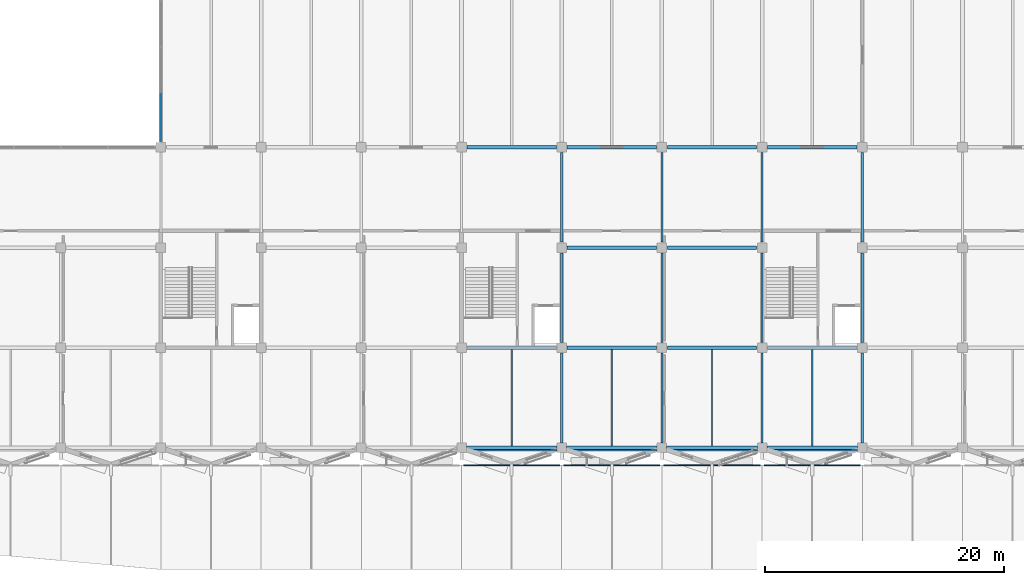
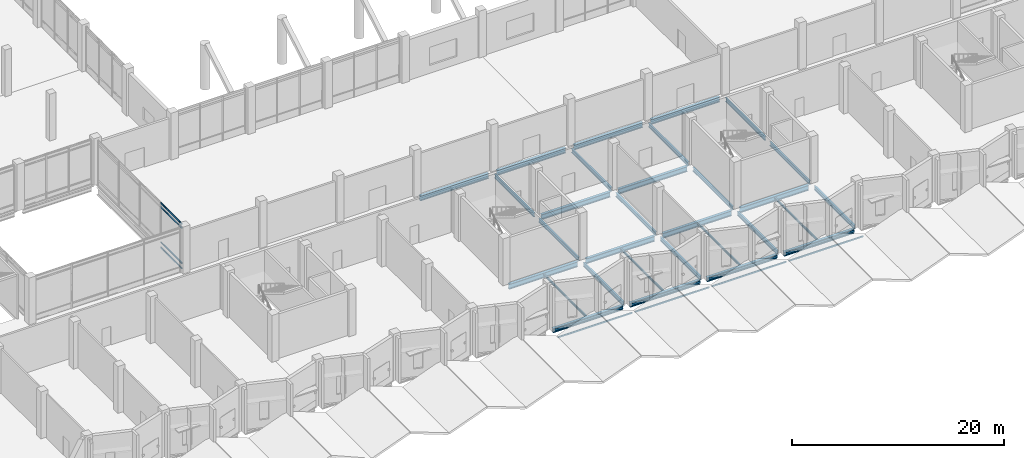
# One storey, part 8 of 72: 34 beams, 8 members, 1 element without a shape of its own.
"""IFC4 building model written with IfcOpenShell, lengths in metres."""

from ifc_helpers import new_model, si_unit, direction, frame, origin, origin_2d, place, context, subcontext, project, spatial, rectangle, hollow_rectangle, i_section, extrude, material, layer, layer_set, material_profile, profile_set, type_object, element, aggregate, save


model = new_model("IFC4")

# Units and contexts
model_context = context("Model", 3, precision=1e-05, world=origin(), true_north=direction((0.0, 1.0)))
body_context = subcontext(model_context, "Body", "Model", "MODEL_VIEW")
ifc_project = project(units=[si_unit("LENGTHUNIT", "METRE"), si_unit("AREAUNIT", "SQUARE_METRE"), si_unit("VOLUMEUNIT", "CUBIC_METRE"), si_unit("PLANEANGLEUNIT", "RADIAN"), si_unit("MASSUNIT", "GRAM", prefix="KILO")], contexts=[model_context])

# Site, building, storey
site_placement = place(None, origin())
site = spatial("IfcSite", under=ifc_project, at=site_placement, CompositionType="ELEMENT")
building_placement = place(site_placement, origin())
building = spatial("IfcBuilding", under=site, at=building_placement, Name="Qawsi Khor Wholesale Market", CompositionType="ELEMENT")
storey_placement = place(building_placement, frame((0.0, 0.0, 6.0)))
storey = spatial("IfcBuildingStorey", under=building, at=storey_placement, Name="L01", CompositionType="ELEMENT", Elevation=6.0)

# Beams
ifc_material_1 = material(Name="Steel S355", Category="steel")
ifc_material_profile_1 = material_profile(ifc_material_1, i_section(OverallWidth=0.135009765625, OverallDepth=0.27001953125, WebThickness=0.006591796875, FlangeThickness=0.01025390625, FilletRadius=0.014892578125, at=origin_2d()), Name="IPE 270")
ifc_profile_set_1 = profile_set([ifc_material_profile_1], Name="Steel S355")
beam_type_1 = type_object("IfcBeamType", Name="Canopy Beam IPE 270", PredefinedType="BEAM", material=ifc_profile_set_1)
beam_1_placement = place(storey_placement, frame((92.800048828125, -0.199951171875, -0.419921875), z_axis=(1.0, 0.0, 0.0), x_axis=(0.0, 1.0, 0.0)))
element("IfcBeam", 1, at=beam_1_placement, inside=storey, type_object=beam_type_1, Name="Canopy tie beam 11", PredefinedType="BEAM", context=body_context, shape_type="SweptSolid", body=[
    extrude(i_section(OverallWidth=0.135009765625, OverallDepth=0.27001953125, WebThickness=0.006591796875, FlangeThickness=0.01025390625, FilletRadius=0.014892578125, at=origin_2d()), origin(), (0.0, 0.0, 1.0), 7.599853515625),
])
beam_2_placement = place(storey_placement, frame((101.199951171875, -0.199951171875, -0.419921875), z_axis=(1.0, 0.0, 0.0), x_axis=(0.0, 1.0, 0.0)))
element("IfcBeam", 2, at=beam_2_placement, inside=storey, type_object=beam_type_1, Name="Canopy tie beam 12", PredefinedType="BEAM", context=body_context, shape_type="SweptSolid", body=[
    extrude(i_section(OverallWidth=0.135009765625, OverallDepth=0.27001953125, WebThickness=0.006591796875, FlangeThickness=0.01025390625, FilletRadius=0.014892578125, at=origin_2d()), origin(), (0.0, 0.0, 1.0), 7.60009765625),
])
beam_3_placement = place(storey_placement, frame((109.60009765625, -0.199951171875, -0.419921875), z_axis=(1.0, 0.0, 0.0), x_axis=(0.0, 1.0, 0.0)))
element("IfcBeam", 3, at=beam_3_placement, inside=storey, type_object=beam_type_1, Name="Canopy tie beam 13", PredefinedType="BEAM", context=body_context, shape_type="SweptSolid", body=[
    extrude(i_section(OverallWidth=0.135009765625, OverallDepth=0.27001953125, WebThickness=0.006591796875, FlangeThickness=0.01025390625, FilletRadius=0.014892578125, at=origin_2d()), origin(), (0.0, 0.0, 1.0), 7.599853515625),
])
beam_4_placement = place(storey_placement, frame((118.0, -0.199951171875, -0.419921875), z_axis=(1.0, 0.0, 0.0), x_axis=(0.0, 1.0, 0.0)))
element("IfcBeam", 4, at=beam_4_placement, inside=storey, type_object=beam_type_1, Name="Canopy tie beam 14", PredefinedType="BEAM", context=body_context, shape_type="SweptSolid", body=[
    extrude(i_section(OverallWidth=0.135009765625, OverallDepth=0.27001953125, WebThickness=0.006591796875, FlangeThickness=0.01025390625, FilletRadius=0.014892578125, at=origin_2d()), origin(), (0.0, 0.0, 1.0), 7.60009765625),
])

# Members
ifc_material_profile_2 = material_profile(ifc_material_1, hollow_rectangle(XDim=0.10009765625, YDim=0.179931640625, WallThickness=0.008056640625, InnerFilletRadius=0.008056640625, OuterFilletRadius=0.01611328125, at=origin_2d()), Name="RHS 180x100x8.0")
ifc_profile_set_2 = profile_set([ifc_material_profile_2], Name="Steel S355")
member_type_1 = type_object("IfcMemberType", Name="Canopy Sub-Purlin RHS 180x100x8.0", PredefinedType="PURLIN", material=ifc_profile_set_2)
member_1_placement = place(storey_placement, frame((92.550048828125, -1.449951171875, -0.3798828125), z_axis=(1.0, 0.0, 0.0), x_axis=(0.0, 1.0, 0.0)))
element("IfcMember", 5, at=member_1_placement, inside=storey, type_object=member_type_1, Name="Canopy valley sub-purlin 11", PredefinedType="PURLIN", context=body_context, shape_type="SweptSolid", body=[
    extrude(hollow_rectangle(XDim=0.10009765625, YDim=0.179931640625, WallThickness=0.008056640625, InnerFilletRadius=0.008056640625, OuterFilletRadius=0.01611328125, at=origin_2d()), origin(), (0.0, 0.0, 1.0), 8.099853515625),
])
member_2_placement = place(storey_placement, frame((100.949951171875, -1.449951171875, -0.3798828125), z_axis=(1.0, 0.0, 0.0), x_axis=(0.0, 1.0, 0.0)))
element("IfcMember", 6, at=member_2_placement, inside=storey, type_object=member_type_1, Name="Canopy valley sub-purlin 12", PredefinedType="PURLIN", context=body_context, shape_type="SweptSolid", body=[
    extrude(hollow_rectangle(XDim=0.10009765625, YDim=0.179931640625, WallThickness=0.008056640625, InnerFilletRadius=0.008056640625, OuterFilletRadius=0.01611328125, at=origin_2d()), origin(), (0.0, 0.0, 1.0), 8.10009765625),
])
member_3_placement = place(storey_placement, frame((109.35009765625, -1.449951171875, -0.3798828125), z_axis=(1.0, 0.0, 0.0), x_axis=(0.0, 1.0, 0.0)))
element("IfcMember", 7, at=member_3_placement, inside=storey, type_object=member_type_1, Name="Canopy valley sub-purlin 13", PredefinedType="PURLIN", context=body_context, shape_type="SweptSolid", body=[
    extrude(hollow_rectangle(XDim=0.10009765625, YDim=0.179931640625, WallThickness=0.008056640625, InnerFilletRadius=0.008056640625, OuterFilletRadius=0.01611328125, at=origin_2d()), origin(), (0.0, 0.0, 1.0), 8.099853515625),
])
member_4_placement = place(storey_placement, frame((117.75, -1.449951171875, -0.3798828125), z_axis=(1.0, 0.0, 0.0), x_axis=(0.0, 1.0, 0.0)))
element("IfcMember", 8, at=member_4_placement, inside=storey, type_object=member_type_1, Name="Canopy valley sub-purlin 14", PredefinedType="PURLIN", context=body_context, shape_type="SweptSolid", body=[
    extrude(hollow_rectangle(XDim=0.10009765625, YDim=0.179931640625, WallThickness=0.008056640625, InnerFilletRadius=0.008056640625, OuterFilletRadius=0.01611328125, at=origin_2d()), origin(), (0.0, 0.0, 1.0), 8.10009765625),
])

# Curtain wall, members
ifc_material_2 = material(Name="Aluminium Anodised Bronze", Category="aluminium")
ifc_layer = layer(ifc_material_2, 0.179931640625, Name="Aluminium Anodised Bronze")
ifc_layer_set = layer_set([ifc_layer], Name="Aluminium Anodised Bronze")
curtain_wall_type = type_object("IfcCurtainWallType", Name="Atrium Full-Height Curtain Wall CW-02", PredefinedType="NOTDEFINED", material=ifc_layer_set)
curtain_wall_placement = place(storey_placement, origin())
curtain_wall = element("IfcCurtainWall", 9, at=curtain_wall_placement, inside=storey, type_object=curtain_wall_type, Name="Curtain wall CW-CW-02-L01-020", PredefinedType="NOTDEFINED")
ifc_material_profile_3 = material_profile(ifc_material_2, rectangle(XDim=0.06494140625, YDim=0.139892578125, at=origin_2d()), Name="ALU TRANSOM 65x140")
ifc_profile_set_3 = profile_set([ifc_material_profile_3], Name="Aluminium Anodised Bronze")
member_type_2 = type_object("IfcMemberType", Name="Curtain Wall Transom CW-02 ALU TRANSOM 65x140", PredefinedType="USERDEFINED", material=ifc_profile_set_3)
member_5_placement = place(storey_placement, frame((67.199951171875, 25.695068359375, 0.0), z_axis=(0.0, 1.0, 0.0), x_axis=(-1.0, 0.0, 0.0)))
member_5 = element("IfcMember", 10, at=member_5_placement, type_object=member_type_2, Name="Transom CW-CW-02-L01-020-T0_00", ObjectType="TRANSOM", PredefinedType="USERDEFINED", context=body_context, shape_type="SweptSolid", body=[
    extrude(rectangle(XDim=0.06494140625, YDim=0.139892578125, at=origin_2d()), origin(), (0.0, 0.0, 1.0), 3.952392578125),
])
member_6_placement = place(storey_placement, frame((67.199951171875, 25.695068359375, 0.60009765625), z_axis=(0.0, 1.0, 0.0), x_axis=(-1.0, 0.0, 0.0)))
member_6 = element("IfcMember", 11, at=member_6_placement, type_object=member_type_2, Name="Transom CW-CW-02-L01-020-T1_00", ObjectType="TRANSOM", PredefinedType="USERDEFINED", context=body_context, shape_type="SweptSolid", body=[
    extrude(rectangle(XDim=0.06494140625, YDim=0.139892578125, at=origin_2d()), origin(), (0.0, 0.0, 1.0), 3.952392578125),
])
member_7_placement = place(storey_placement, frame((67.199951171875, 25.695068359375, 4.669921875), z_axis=(0.0, 1.0, 0.0), x_axis=(-1.0, 0.0, 0.0)))
member_7 = element("IfcMember", 12, at=member_7_placement, type_object=member_type_2, Name="Transom CW-CW-02-L01-020-T2_00", ObjectType="TRANSOM", PredefinedType="USERDEFINED", context=body_context, shape_type="SweptSolid", body=[
    extrude(rectangle(XDim=0.06494140625, YDim=0.139892578125, at=origin_2d()), origin(), (0.0, 0.0, 1.0), 3.952392578125),
])
member_8_placement = place(storey_placement, frame((67.199951171875, 25.695068359375, 5.1201171875), z_axis=(0.0, 1.0, 0.0), x_axis=(-1.0, 0.0, 0.0)))
member_8 = element("IfcMember", 13, at=member_8_placement, type_object=member_type_2, Name="Transom CW-CW-02-L01-020-T3_00", ObjectType="TRANSOM", PredefinedType="USERDEFINED", context=body_context, shape_type="SweptSolid", body=[
    extrude(rectangle(XDim=0.06494140625, YDim=0.139892578125, at=origin_2d()), origin(), (0.0, 0.0, 1.0), 3.952392578125),
])
aggregate(curtain_wall, [member_5, member_6, member_7, member_8])

# Beams
ifc_material_profile_4 = material_profile(ifc_material_1, i_section(OverallWidth=0.1201171875, OverallDepth=0.239990234375, WebThickness=0.006103515625, FlangeThickness=0.009765625, FilletRadius=0.014892578125, at=origin_2d()), Name="IPE 240")
ifc_profile_set_4 = profile_set([ifc_material_profile_4], Name="Steel S355")
beam_type_2 = type_object("IfcBeamType", Name="Floor Joist IPE 240", PredefinedType="JOIST", material=ifc_profile_set_4)
for number, where, z_axis, x_axis, name in (
    (14, (96.60009765625, 0.14990234375, -0.39990234375), (0.0, 1.0, 0.0), (-1.0, 0.0, 0.0), "JST-S-L01-11"),
    (15, (105.0, 0.14990234375, -0.39990234375), (0.0, 1.0, 0.0), (-1.0, 0.0, 0.0), "JST-S-L01-12"),
    (16, (113.39990234375, 0.14990234375, -0.39990234375), (0.0, 1.0, 0.0), (-1.0, 0.0, 0.0), "JST-S-L01-13"),
    (17, (121.800048828125, 0.14990234375, -0.39990234375), (0.0, 1.0, 0.0), (-1.0, 0.0, 0.0), "JST-S-L01-14"),
):
    element("IfcBeam", number, at=place(storey_placement, frame(where, z_axis=z_axis, x_axis=x_axis)), inside=storey, type_object=beam_type_2, Name=name, PredefinedType="JOIST", context=body_context, shape_type="SweptSolid", body=[
        extrude(i_section(OverallWidth=0.1201171875, OverallDepth=0.239990234375, WebThickness=0.006103515625, FlangeThickness=0.009765625, FilletRadius=0.014892578125, at=origin_2d()), origin(), (0.0, 0.0, 1.0), 8.10009765625),
    ])
ifc_material_profile_5 = material_profile(ifc_material_1, i_section(OverallWidth=0.300048828125, OverallDepth=0.5, WebThickness=0.014404296875, FlangeThickness=0.028076171875, FilletRadius=0.027099609375, at=origin_2d()), Name="HEB 500")
ifc_profile_set_5 = profile_set([ifc_material_profile_5], Name="Steel S355")
beam_type_3 = type_object("IfcBeamType", Name="Heavy Edge Girder HEB 500", PredefinedType="BEAM", material=ifc_profile_set_5)
beam_5_placement = place(storey_placement, frame((92.800048828125, 0.0, -0.530029296875), z_axis=(1.0, 0.0, 0.0), x_axis=(0.0, 1.0, 0.0)))
element("IfcBeam", 18, at=beam_5_placement, inside=storey, type_object=beam_type_3, Name="BM-X-L01-11_+00", PredefinedType="BEAM", context=body_context, shape_type="SweptSolid", body=[
    extrude(i_section(OverallWidth=0.300048828125, OverallDepth=0.5, WebThickness=0.014404296875, FlangeThickness=0.028076171875, FilletRadius=0.027099609375, at=origin_2d()), origin(), (0.0, 0.0, 1.0), 7.599853515625),
])
beam_6_placement = place(storey_placement, frame((101.199951171875, 0.0, -0.530029296875), z_axis=(1.0, 0.0, 0.0), x_axis=(0.0, 1.0, 0.0)))
element("IfcBeam", 19, at=beam_6_placement, inside=storey, type_object=beam_type_3, Name="BM-X-L01-12_+00", PredefinedType="BEAM", context=body_context, shape_type="SweptSolid", body=[
    extrude(i_section(OverallWidth=0.300048828125, OverallDepth=0.5, WebThickness=0.014404296875, FlangeThickness=0.028076171875, FilletRadius=0.027099609375, at=origin_2d()), origin(), (0.0, 0.0, 1.0), 7.60009765625),
])
beam_7_placement = place(storey_placement, frame((109.60009765625, 0.0, -0.530029296875), z_axis=(1.0, 0.0, 0.0), x_axis=(0.0, 1.0, 0.0)))
element("IfcBeam", 20, at=beam_7_placement, inside=storey, type_object=beam_type_3, Name="BM-X-L01-13_+00", PredefinedType="BEAM", context=body_context, shape_type="SweptSolid", body=[
    extrude(i_section(OverallWidth=0.300048828125, OverallDepth=0.5, WebThickness=0.014404296875, FlangeThickness=0.028076171875, FilletRadius=0.027099609375, at=origin_2d()), origin(), (0.0, 0.0, 1.0), 7.599853515625),
])
beam_8_placement = place(storey_placement, frame((118.0, 0.0, -0.530029296875), z_axis=(1.0, 0.0, 0.0), x_axis=(0.0, 1.0, 0.0)))
element("IfcBeam", 21, at=beam_8_placement, inside=storey, type_object=beam_type_3, Name="BM-X-L01-14_+00", PredefinedType="BEAM", context=body_context, shape_type="SweptSolid", body=[
    extrude(i_section(OverallWidth=0.300048828125, OverallDepth=0.5, WebThickness=0.014404296875, FlangeThickness=0.028076171875, FilletRadius=0.027099609375, at=origin_2d()), origin(), (0.0, 0.0, 1.0), 7.60009765625),
])
ifc_material_profile_6 = material_profile(ifc_material_1, i_section(OverallWidth=0.300048828125, OverallDepth=0.590087890625, WebThickness=0.012939453125, FlangeThickness=0.02490234375, FilletRadius=0.027099609375, at=origin_2d()), Name="HEA 600")
ifc_profile_set_6 = profile_set([ifc_material_profile_6], Name="Steel S355")
beam_type_4 = type_object("IfcBeamType", Name="Primary Girder HEA 600", PredefinedType="BEAM", material=ifc_profile_set_6)
for number, where, z_axis, x_axis, name in (
    (22, (92.85009765625, 8.39990234375, -0.574951171875), (1.0, 0.0, 0.0), (0.0, 1.0, 0.0), "BM-X-L01-11_+01"),
    (23, (92.85009765625, 25.199951171875, -0.574951171875), (1.0, 0.0, 0.0), (0.0, 1.0, 0.0), "BM-X-L01-11_+03"),
    (24, (101.25, 8.39990234375, -0.574951171875), (1.0, 0.0, 0.0), (0.0, 1.0, 0.0), "BM-X-L01-12_+01"),
    (25, (101.25, 16.800048828125, -0.574951171875), (1.0, 0.0, 0.0), (0.0, 1.0, 0.0), "BM-X-L01-12_+02"),
    (26, (101.25, 25.199951171875, -0.574951171875), (1.0, 0.0, 0.0), (0.0, 1.0, 0.0), "BM-X-L01-12_+03"),
    (27, (109.64990234375, 8.39990234375, -0.574951171875), (1.0, 0.0, 0.0), (0.0, 1.0, 0.0), "BM-X-L01-13_+01"),
    (28, (109.64990234375, 16.800048828125, -0.574951171875), (1.0, 0.0, 0.0), (0.0, 1.0, 0.0), "BM-X-L01-13_+02"),
    (29, (109.64990234375, 25.199951171875, -0.574951171875), (1.0, 0.0, 0.0), (0.0, 1.0, 0.0), "BM-X-L01-13_+03"),
    (30, (118.050048828125, 8.39990234375, -0.574951171875), (1.0, 0.0, 0.0), (0.0, 1.0, 0.0), "BM-X-L01-14_+01"),
    (31, (118.050048828125, 25.199951171875, -0.574951171875), (1.0, 0.0, 0.0), (0.0, 1.0, 0.0), "BM-X-L01-14_+03"),
):
    element("IfcBeam", number, at=place(storey_placement, frame(where, z_axis=z_axis, x_axis=x_axis)), inside=storey, type_object=beam_type_4, Name=name, PredefinedType="BEAM", context=body_context, shape_type="SweptSolid", body=[
        extrude(i_section(OverallWidth=0.300048828125, OverallDepth=0.590087890625, WebThickness=0.012939453125, FlangeThickness=0.02490234375, FilletRadius=0.027099609375, at=origin_2d()), origin(), (0.0, 0.0, 1.0), 7.5),
    ])
ifc_material_profile_7 = material_profile(ifc_material_1, i_section(OverallWidth=0.18994140625, OverallDepth=0.449951171875, WebThickness=0.009521484375, FlangeThickness=0.0146484375, FilletRadius=0.02099609375, at=origin_2d()), Name="IPE 450")
ifc_profile_set_7 = profile_set([ifc_material_profile_7], Name="Steel S355")
beam_type_5 = type_object("IfcBeamType", Name="Secondary Beam IPE 450", PredefinedType="BEAM", material=ifc_profile_set_7)
beam_9_placement = place(storey_placement, frame((100.800048828125, 0.39990234375, -0.5048828125), z_axis=(0.0, 1.0, 0.0), x_axis=(-1.0, 0.0, 0.0)))
element("IfcBeam", 32, at=beam_9_placement, inside=storey, type_object=beam_type_5, Name="BM-Y-L01-12_+00", PredefinedType="BEAM", context=body_context, shape_type="SweptSolid", body=[
    extrude(i_section(OverallWidth=0.18994140625, OverallDepth=0.449951171875, WebThickness=0.009521484375, FlangeThickness=0.0146484375, FilletRadius=0.02099609375, at=origin_2d()), origin(), (0.0, 0.0, 1.0), 7.550048828125),
])
for number, where, z_axis, x_axis, name in (
    (33, (100.800048828125, 8.85009765625, -0.5048828125), (0.0, 1.0, 0.0), (-1.0, 0.0, 0.0), "BM-Y-L01-12_+01"),
    (34, (100.800048828125, 17.25, -0.5048828125), (0.0, 1.0, 0.0), (-1.0, 0.0, 0.0), "BM-Y-L01-12_+02"),
):
    element("IfcBeam", number, at=place(storey_placement, frame(where, z_axis=z_axis, x_axis=x_axis)), inside=storey, type_object=beam_type_5, Name=name, PredefinedType="BEAM", context=body_context, shape_type="SweptSolid", body=[
        extrude(i_section(OverallWidth=0.18994140625, OverallDepth=0.449951171875, WebThickness=0.009521484375, FlangeThickness=0.0146484375, FilletRadius=0.02099609375, at=origin_2d()), origin(), (0.0, 0.0, 1.0), 7.5),
    ])
beam_10_placement = place(storey_placement, frame((109.199951171875, 0.39990234375, -0.5048828125), z_axis=(0.0, 1.0, 0.0), x_axis=(-1.0, 0.0, 0.0)))
element("IfcBeam", 35, at=beam_10_placement, inside=storey, type_object=beam_type_5, Name="BM-Y-L01-13_+00", PredefinedType="BEAM", context=body_context, shape_type="SweptSolid", body=[
    extrude(i_section(OverallWidth=0.18994140625, OverallDepth=0.449951171875, WebThickness=0.009521484375, FlangeThickness=0.0146484375, FilletRadius=0.02099609375, at=origin_2d()), origin(), (0.0, 0.0, 1.0), 7.550048828125),
])
for number, where, z_axis, x_axis, name in (
    (36, (109.199951171875, 8.85009765625, -0.5048828125), (0.0, 1.0, 0.0), (-1.0, 0.0, 0.0), "BM-Y-L01-13_+01"),
    (37, (109.199951171875, 17.25, -0.5048828125), (0.0, 1.0, 0.0), (-1.0, 0.0, 0.0), "BM-Y-L01-13_+02"),
):
    element("IfcBeam", number, at=place(storey_placement, frame(where, z_axis=z_axis, x_axis=x_axis)), inside=storey, type_object=beam_type_5, Name=name, PredefinedType="BEAM", context=body_context, shape_type="SweptSolid", body=[
        extrude(i_section(OverallWidth=0.18994140625, OverallDepth=0.449951171875, WebThickness=0.009521484375, FlangeThickness=0.0146484375, FilletRadius=0.02099609375, at=origin_2d()), origin(), (0.0, 0.0, 1.0), 7.5),
    ])
beam_11_placement = place(storey_placement, frame((117.60009765625, 0.39990234375, -0.5048828125), z_axis=(0.0, 1.0, 0.0), x_axis=(-1.0, 0.0, 0.0)))
element("IfcBeam", 38, at=beam_11_placement, inside=storey, type_object=beam_type_5, Name="BM-Y-L01-14_+00", PredefinedType="BEAM", context=body_context, shape_type="SweptSolid", body=[
    extrude(i_section(OverallWidth=0.18994140625, OverallDepth=0.449951171875, WebThickness=0.009521484375, FlangeThickness=0.0146484375, FilletRadius=0.02099609375, at=origin_2d()), origin(), (0.0, 0.0, 1.0), 7.550048828125),
])
for number, where, z_axis, x_axis, name in (
    (39, (117.60009765625, 8.85009765625, -0.5048828125), (0.0, 1.0, 0.0), (-1.0, 0.0, 0.0), "BM-Y-L01-14_+01"),
    (40, (117.60009765625, 17.25, -0.5048828125), (0.0, 1.0, 0.0), (-1.0, 0.0, 0.0), "BM-Y-L01-14_+02"),
):
    element("IfcBeam", number, at=place(storey_placement, frame(where, z_axis=z_axis, x_axis=x_axis)), inside=storey, type_object=beam_type_5, Name=name, PredefinedType="BEAM", context=body_context, shape_type="SweptSolid", body=[
        extrude(i_section(OverallWidth=0.18994140625, OverallDepth=0.449951171875, WebThickness=0.009521484375, FlangeThickness=0.0146484375, FilletRadius=0.02099609375, at=origin_2d()), origin(), (0.0, 0.0, 1.0), 7.5),
    ])
beam_12_placement = place(storey_placement, frame((126.0, 0.39990234375, -0.5048828125), z_axis=(0.0, 1.0, 0.0), x_axis=(-1.0, 0.0, 0.0)))
element("IfcBeam", 41, at=beam_12_placement, inside=storey, type_object=beam_type_5, Name="BM-Y-L01-15_+00", PredefinedType="BEAM", context=body_context, shape_type="SweptSolid", body=[
    extrude(i_section(OverallWidth=0.18994140625, OverallDepth=0.449951171875, WebThickness=0.009521484375, FlangeThickness=0.0146484375, FilletRadius=0.02099609375, at=origin_2d()), origin(), (0.0, 0.0, 1.0), 7.550048828125),
])
for number, where, z_axis, x_axis, name in (
    (42, (126.0, 8.85009765625, -0.5048828125), (0.0, 1.0, 0.0), (-1.0, 0.0, 0.0), "BM-Y-L01-15_+01"),
    (43, (126.0, 17.25, -0.5048828125), (0.0, 1.0, 0.0), (-1.0, 0.0, 0.0), "BM-Y-L01-15_+02"),
):
    element("IfcBeam", number, at=place(storey_placement, frame(where, z_axis=z_axis, x_axis=x_axis)), inside=storey, type_object=beam_type_5, Name=name, PredefinedType="BEAM", context=body_context, shape_type="SweptSolid", body=[
        extrude(i_section(OverallWidth=0.18994140625, OverallDepth=0.449951171875, WebThickness=0.009521484375, FlangeThickness=0.0146484375, FilletRadius=0.02099609375, at=origin_2d()), origin(), (0.0, 0.0, 1.0), 7.5),
    ])

save(model, "model.ifc")
